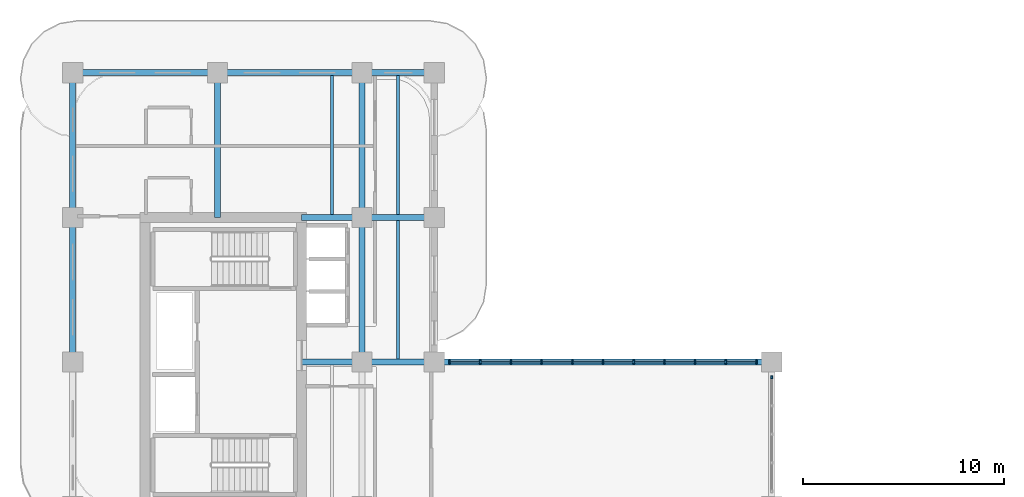
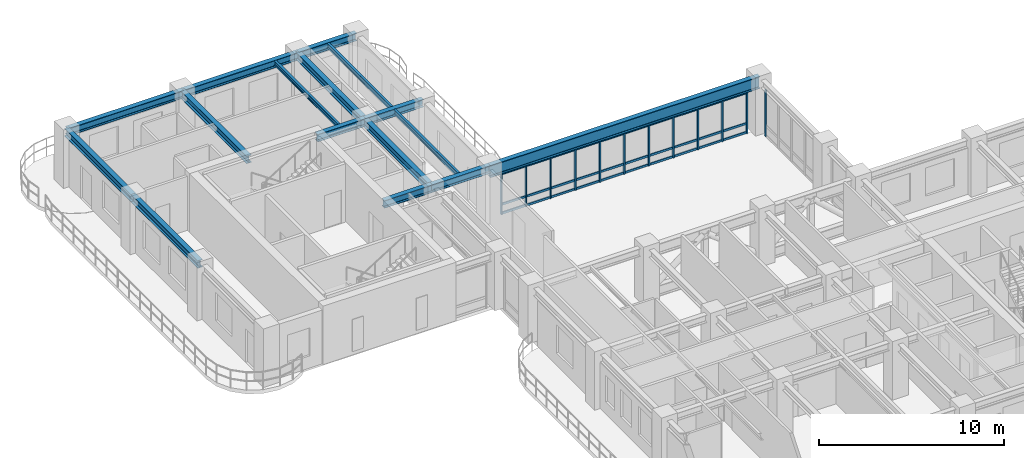
# One storey, part 4 of 17: 42 members, 16 beams, 2 elements without a shape of their own.
"""IFC4 building model written with IfcOpenShell, lengths in metres."""

from ifc_helpers import new_model, si_unit, derived_unit, direction, frame, origin, origin_2d, place, context, subcontext, project, spatial, rectangle, i_section, extrude, source, transform, mapped, material, layer, layer_set, material_profile, profile_set, type_object, type_shapes, element, aggregate, save


model = new_model("IFC4")

# Units and contexts
model_context = context("Model", 3, precision=1e-05, world=origin(), true_north=direction((0.0, 1.0)))
body_context = subcontext(model_context, "Body", "Model", "MODEL_VIEW")
ifc_project = project(units=[si_unit("LENGTHUNIT", "METRE"), si_unit("AREAUNIT", "SQUARE_METRE"), si_unit("VOLUMEUNIT", "CUBIC_METRE"), si_unit("PLANEANGLEUNIT", "RADIAN"), si_unit("MASSUNIT", "GRAM", prefix="KILO"), si_unit("THERMODYNAMICTEMPERATUREUNIT", "KELVIN"), si_unit("POWERUNIT", "WATT"), derived_unit("THERMALTRANSMITTANCEUNIT", [(si_unit("POWERUNIT", "WATT"), 1), (si_unit("AREAUNIT", "SQUARE_METRE"), -1), (si_unit("THERMODYNAMICTEMPERATUREUNIT", "KELVIN"), -1)])], contexts=[model_context])

# Site, building, storey
site_placement = place(None, origin())
site = spatial("IfcSite", under=ifc_project, at=site_placement, CompositionType="ELEMENT")
building_placement = place(site_placement, origin())
building = spatial("IfcBuilding", under=site, at=building_placement, Name="Zahravan Archway Hotel and Residences", CompositionType="ELEMENT")
storey_placement = place(building_placement, frame((0.0, 0.0, 192.64990234375)))
storey = spatial("IfcBuildingStorey", under=building, at=storey_placement, Name="L48", CompositionType="ELEMENT", Elevation=192.64990234375)

# Beams
ifc_material_1 = material(Name="Structural Steel S355J2", Category="steel")
ifc_material_profile_1 = material_profile(ifc_material_1, i_section(OverallWidth=0.300048828125, OverallDepth=0.800048828125, WebThickness=0.017578125, FlangeThickness=0.032958984375, FilletRadius=0.030029296875, at=origin_2d()), Name="HEB 800", Category="steel")
ifc_profile_set_1 = profile_set([ifc_material_profile_1], Name="Structural Steel S355J2")
beam_type_1 = type_object("IfcBeamType", Name="BM-PRI-HEB800", PredefinedType="BEAM", material=ifc_profile_set_1)
shared_shape_1 = source(origin(), body_context, "Body", "SweptSolid", [
    extrude(i_section(OverallWidth=0.300048828125, OverallDepth=0.800048828125, WebThickness=0.017578125, FlangeThickness=0.032958984375, FilletRadius=0.030029296875, at=origin_2d()), origin(), (0.0, 0.0, 1.0), 16.800048828125),
])
type_shapes(beam_type_1, [shared_shape_1])
beam_1_placement = place(storey_placement, frame((18.0, 32.39990234375, 3.150146484375), z_axis=(1.0, 0.0, 0.0), x_axis=(0.0, 1.0, 0.0)))
element("IfcBeam", 1, at=beam_1_placement, inside=storey, type_object=beam_type_1, Name="L48 Primary Girder EW-17", PredefinedType="BEAM", context=body_context, shape_type="MappedRepresentation", body=[
    mapped(shared_shape_1, transform((0.0, 0.0, 0.0), scale=1.0)),
])
ifc_material_2 = material(Name="Structural Steel S355JR", Category="steel")
ifc_material_profile_2 = material_profile(ifc_material_2, i_section(OverallWidth=0.300048828125, OverallDepth=0.5, WebThickness=0.014404296875, FlangeThickness=0.028076171875, FilletRadius=0.027099609375, at=origin_2d()), Name="HEB 500", Category="steel")
ifc_profile_set_2 = profile_set([ifc_material_profile_2], Name="Structural Steel S355JR")
beam_type_2 = type_object("IfcBeamType", Name="BM-PRI-HEB500", PredefinedType="BEAM", material=ifc_profile_set_2)
shared_shape_2 = source(origin(), body_context, "Body", "SweptSolid", [
    extrude(i_section(OverallWidth=0.300048828125, OverallDepth=0.5, WebThickness=0.014404296875, FlangeThickness=0.028076171875, FilletRadius=0.027099609375, at=origin_2d()), origin(), (0.0, 0.0, 1.0), 7.2001953125),
])
type_shapes(beam_type_2, [shared_shape_2])
for number, where, z_axis, x_axis, name in (
    (2, (0.0, 32.39990234375, 3.300048828125), (0.0, 1.0, 0.0), (-1.0, 0.0, 0.0), "L48 Primary Girder NS-24"),
    (3, (14.39990234375, 32.39990234375, 3.300048828125), (0.0, 1.0, 0.0), (-1.0, 0.0, 0.0), "L48 Primary Girder NS-32"),
):
    element("IfcBeam", number, at=place(storey_placement, frame(where, z_axis=z_axis, x_axis=x_axis)), inside=storey, type_object=beam_type_2, Name=name, PredefinedType="BEAM", context=body_context, shape_type="MappedRepresentation", body=[
        mapped(shared_shape_2, transform((0.0, 0.0, 0.0), scale=1.0)),
    ])
shared_shape_3 = source(origin(), body_context, "Body", "SweptSolid", [
    extrude(i_section(OverallWidth=0.300048828125, OverallDepth=0.5, WebThickness=0.014404296875, FlangeThickness=0.028076171875, FilletRadius=0.027099609375, at=origin_2d()), origin(), (0.0, 0.0, 1.0), 7.199951171875),
])
for number, where, z_axis, x_axis, name in (
    (4, (0.0, 46.800048828125, 3.300048828125), (1.0, 0.0, 0.0), (0.0, 1.0, 0.0), "L48 Primary Girder EW-20"),
    (5, (7.199951171875, 46.800048828125, 3.300048828125), (1.0, 0.0, 0.0), (0.0, 1.0, 0.0), "L48 Primary Girder EW-21"),
    (6, (0.0, 39.60009765625, 3.300048828125), (0.0, 1.0, 0.0), (-1.0, 0.0, 0.0), "L48 Primary Girder NS-25"),
    (7, (7.199951171875, 39.60009765625, 3.300048828125), (0.0, 1.0, 0.0), (-1.0, 0.0, 0.0), "L48 Primary Girder NS-26"),
    (8, (14.39990234375, 39.60009765625, 3.300048828125), (0.0, 1.0, 0.0), (-1.0, 0.0, 0.0), "L48 Primary Girder NS-33"),
):
    element("IfcBeam", number, at=place(storey_placement, frame(where, z_axis=z_axis, x_axis=x_axis)), inside=storey, type_object=beam_type_2, Name=name, PredefinedType="BEAM", context=body_context, shape_type="MappedRepresentation", body=[
        mapped(shared_shape_3, transform((0.0, 0.0, 0.0), scale=1.0)),
    ])
shared_shape_4 = source(origin(), body_context, "Body", "SweptSolid", [
    extrude(i_section(OverallWidth=0.300048828125, OverallDepth=0.5, WebThickness=0.014404296875, FlangeThickness=0.028076171875, FilletRadius=0.027099609375, at=origin_2d()), origin(), (0.0, 0.0, 1.0), 3.0),
])
for number, where, z_axis, x_axis, name in (
    (9, (11.39990234375, 32.39990234375, 3.300048828125), (1.0, 0.0, 0.0), (0.0, 1.0, 0.0), "L48 Primary Girder EW-15"),
    (10, (11.39990234375, 39.60009765625, 3.300048828125), (1.0, 0.0, 0.0), (0.0, 1.0, 0.0), "L48 Primary Girder EW-18"),
):
    element("IfcBeam", number, at=place(storey_placement, frame(where, z_axis=z_axis, x_axis=x_axis)), inside=storey, type_object=beam_type_2, Name=name, PredefinedType="BEAM", context=body_context, shape_type="MappedRepresentation", body=[
        mapped(shared_shape_4, transform((0.0, 0.0, 0.0), scale=1.0)),
    ])
ifc_material_profile_3 = material_profile(ifc_material_2, i_section(OverallWidth=0.14990234375, OverallDepth=0.300048828125, WebThickness=0.007080078125, FlangeThickness=0.0107421875, FilletRadius=0.014892578125, at=origin_2d()), Name="IPE 300", Category="steel")
ifc_profile_set_3 = profile_set([ifc_material_profile_3], Name="Structural Steel S355JR")
beam_type_3 = type_object("IfcBeamType", Name="BM-JST-IPE300", PredefinedType="JOIST", material=ifc_profile_set_3)
shared_shape_5 = source(origin(), body_context, "Body", "SweptSolid", [
    extrude(i_section(OverallWidth=0.14990234375, OverallDepth=0.300048828125, WebThickness=0.007080078125, FlangeThickness=0.0107421875, FilletRadius=0.014892578125, at=origin_2d()), origin(), (0.0, 0.0, 1.0), 6.904052734375),
])
type_shapes(beam_type_3, [shared_shape_5])
for number, where, z_axis, x_axis, name in (
    (11, (12.89990234375, 39.748046875, 3.400146484375), (0.0, 1.0, 0.0), (-1.0, 0.0, 0.0), "L48 Composite Floor Joist 10"),
    (12, (16.199951171875, 39.748046875, 3.400146484375), (0.0, 1.0, 0.0), (-1.0, 0.0, 0.0), "L48 Composite Floor Joist 11"),
):
    element("IfcBeam", number, at=place(storey_placement, frame(where, z_axis=z_axis, x_axis=x_axis)), inside=storey, type_object=beam_type_3, Name=name, PredefinedType="JOIST", context=body_context, shape_type="MappedRepresentation", body=[
        mapped(shared_shape_5, transform((0.0, 0.0, 0.0), scale=1.0)),
    ])
shared_shape_6 = source(origin(), body_context, "Body", "SweptSolid", [
    extrude(i_section(OverallWidth=0.14990234375, OverallDepth=0.300048828125, WebThickness=0.007080078125, FlangeThickness=0.0107421875, FilletRadius=0.014892578125, at=origin_2d()), origin(), (0.0, 0.0, 1.0), 6.90380859375),
])
beam_2_placement = place(storey_placement, frame((16.199951171875, 32.548095703125, 3.400146484375), z_axis=(0.0, 1.0, 0.0), x_axis=(-1.0, 0.0, 0.0)))
element("IfcBeam", 13, at=beam_2_placement, inside=storey, type_object=beam_type_3, Name="L48 Composite Floor Joist 09", PredefinedType="JOIST", context=body_context, shape_type="MappedRepresentation", body=[
    mapped(shared_shape_6, transform((0.0, 0.0, 0.0), scale=1.0)),
])
shared_shape_7 = source(origin(), body_context, "Body", "SweptSolid", [
    extrude(i_section(OverallWidth=0.300048828125, OverallDepth=0.5, WebThickness=0.014404296875, FlangeThickness=0.028076171875, FilletRadius=0.027099609375, at=origin_2d()), origin(), (0.0, 0.0, 1.0), 3.60009765625),
])
for number, where, z_axis, x_axis, name in (
    (14, (14.39990234375, 32.39990234375, 3.300048828125), (1.0, 0.0, 0.0), (0.0, 1.0, 0.0), "L48 Primary Girder EW-16"),
    (15, (14.39990234375, 39.60009765625, 3.300048828125), (1.0, 0.0, 0.0), (0.0, 1.0, 0.0), "L48 Primary Girder EW-19"),
    (16, (14.39990234375, 46.800048828125, 3.300048828125), (1.0, 0.0, 0.0), (0.0, 1.0, 0.0), "L48 Primary Girder EW-22"),
):
    element("IfcBeam", number, at=place(storey_placement, frame(where, z_axis=z_axis, x_axis=x_axis)), inside=storey, type_object=beam_type_2, Name=name, PredefinedType="BEAM", context=body_context, shape_type="MappedRepresentation", body=[
        mapped(shared_shape_7, transform((0.0, 0.0, 0.0), scale=1.0)),
    ])

# Curtain wall, members
ifc_material_3 = material(Name="Bronze-Anodized Unitised Aluminium & Low-E Glass", Category="aluminium")
ifc_layer = layer(ifc_material_3, 0.179931640625, Name="Bronze-Anodized Unitised Aluminium & Low-E Glass", Category="aluminium")
ifc_layer_set = layer_set([ifc_layer], Name="Bronze-Anodized Unitised Aluminium & Low-E Glass")
curtain_wall_type = type_object("IfcCurtainWallType", Name="CW-SBG-2", PredefinedType="NOTDEFINED", material=ifc_layer_set)
curtain_wall_1_placement = place(storey_placement, origin())
curtain_wall_1 = element("IfcCurtainWall", 17, at=curtain_wall_1_placement, inside=storey, type_object=curtain_wall_type, Name="L48 Curtain Wall CW-L48-HNG-N-1", PredefinedType="NOTDEFINED")
ifc_material_4 = material(Name="Bronze-Anodized Extruded Aluminium", Category="aluminium")
ifc_material_profile_4 = material_profile(ifc_material_4, rectangle(XDim=0.080078125, YDim=0.139892578125, at=origin_2d()), Name="TRN 80x140", Category="aluminium")
ifc_profile_set_4 = profile_set([ifc_material_profile_4], Name="Bronze-Anodized Extruded Aluminium")
member_type_1 = type_object("IfcMemberType", Name="CWM-TRN-140", PredefinedType="USERDEFINED", material=ifc_profile_set_4)
shared_shape_8 = source(origin(), body_context, "Body", "SweptSolid", [
    extrude(rectangle(XDim=0.080078125, YDim=0.139892578125, at=origin_2d()), origin(), (0.0, 0.0, 1.0), 1.447998046875),
])
member_1_placement = place(storey_placement, frame((18.800048828125, 32.39990234375, 0.070068359375), z_axis=(1.0, 0.0, 0.0), x_axis=(0.0, 1.0, 0.0)))
member_1 = element("IfcMember", 18, at=member_1_placement, type_object=member_type_1, Name="CW-L48-HNG-N-1 Transom 0-1", ObjectType="TRANSOM", PredefinedType="USERDEFINED", context=body_context, shape_type="MappedRepresentation", body=[
    mapped(shared_shape_8, transform((0.0, 0.0, 0.0), scale=1.0)),
])
member_2_placement = place(storey_placement, frame((18.800048828125, 32.39990234375, 0.656494140625), z_axis=(1.0, 0.0, 0.0), x_axis=(0.0, 1.0, 0.0)))
member_2 = element("IfcMember", 19, at=member_2_placement, type_object=member_type_1, Name="CW-L48-HNG-N-1 Transom 0-2", ObjectType="TRANSOM", PredefinedType="USERDEFINED", context=body_context, shape_type="MappedRepresentation", body=[
    mapped(shared_shape_8, transform((0.0, 0.0, 0.0), scale=1.0)),
])
member_3_placement = place(storey_placement, frame((18.800048828125, 32.39990234375, 2.6650390625), z_axis=(1.0, 0.0, 0.0), x_axis=(0.0, 1.0, 0.0)))
member_3 = element("IfcMember", 20, at=member_3_placement, type_object=member_type_1, Name="CW-L48-HNG-N-1 Transom 0-3", ObjectType="TRANSOM", PredefinedType="USERDEFINED", context=body_context, shape_type="MappedRepresentation", body=[
    mapped(shared_shape_8, transform((0.0, 0.0, 0.0), scale=1.0)),
])
member_4_placement = place(storey_placement, frame((20.327880859375, 32.39990234375, 0.070068359375), z_axis=(1.0, 0.0, 0.0), x_axis=(0.0, 1.0, 0.0)))
member_4 = element("IfcMember", 21, at=member_4_placement, type_object=member_type_1, Name="CW-L48-HNG-N-1 Transom 1-1", ObjectType="TRANSOM", PredefinedType="USERDEFINED", context=body_context, shape_type="MappedRepresentation", body=[
    mapped(shared_shape_8, transform((0.0, 0.0, 0.0), scale=1.0)),
])
member_5_placement = place(storey_placement, frame((20.327880859375, 32.39990234375, 0.656494140625), z_axis=(1.0, 0.0, 0.0), x_axis=(0.0, 1.0, 0.0)))
member_5 = element("IfcMember", 22, at=member_5_placement, type_object=member_type_1, Name="CW-L48-HNG-N-1 Transom 1-2", ObjectType="TRANSOM", PredefinedType="USERDEFINED", context=body_context, shape_type="MappedRepresentation", body=[
    mapped(shared_shape_8, transform((0.0, 0.0, 0.0), scale=1.0)),
])
member_6_placement = place(storey_placement, frame((20.327880859375, 32.39990234375, 2.6650390625), z_axis=(1.0, 0.0, 0.0), x_axis=(0.0, 1.0, 0.0)))
member_6 = element("IfcMember", 23, at=member_6_placement, type_object=member_type_1, Name="CW-L48-HNG-N-1 Transom 1-3", ObjectType="TRANSOM", PredefinedType="USERDEFINED", context=body_context, shape_type="MappedRepresentation", body=[
    mapped(shared_shape_8, transform((0.0, 0.0, 0.0), scale=1.0)),
])
member_7_placement = place(storey_placement, frame((21.85595703125, 32.39990234375, 0.070068359375), z_axis=(1.0, 0.0, 0.0), x_axis=(0.0, 1.0, 0.0)))
member_7 = element("IfcMember", 24, at=member_7_placement, type_object=member_type_1, Name="CW-L48-HNG-N-1 Transom 2-1", ObjectType="TRANSOM", PredefinedType="USERDEFINED", context=body_context, shape_type="MappedRepresentation", body=[
    mapped(shared_shape_8, transform((0.0, 0.0, 0.0), scale=1.0)),
])
member_8_placement = place(storey_placement, frame((21.85595703125, 32.39990234375, 0.656494140625), z_axis=(1.0, 0.0, 0.0), x_axis=(0.0, 1.0, 0.0)))
member_8 = element("IfcMember", 25, at=member_8_placement, type_object=member_type_1, Name="CW-L48-HNG-N-1 Transom 2-2", ObjectType="TRANSOM", PredefinedType="USERDEFINED", context=body_context, shape_type="MappedRepresentation", body=[
    mapped(shared_shape_8, transform((0.0, 0.0, 0.0), scale=1.0)),
])
member_9_placement = place(storey_placement, frame((21.85595703125, 32.39990234375, 2.6650390625), z_axis=(1.0, 0.0, 0.0), x_axis=(0.0, 1.0, 0.0)))
member_9 = element("IfcMember", 26, at=member_9_placement, type_object=member_type_1, Name="CW-L48-HNG-N-1 Transom 2-3", ObjectType="TRANSOM", PredefinedType="USERDEFINED", context=body_context, shape_type="MappedRepresentation", body=[
    mapped(shared_shape_8, transform((0.0, 0.0, 0.0), scale=1.0)),
])
member_10_placement = place(storey_placement, frame((23.384033203125, 32.39990234375, 0.070068359375), z_axis=(1.0, 0.0, 0.0), x_axis=(0.0, 1.0, 0.0)))
member_10 = element("IfcMember", 27, at=member_10_placement, type_object=member_type_1, Name="CW-L48-HNG-N-1 Transom 3-1", ObjectType="TRANSOM", PredefinedType="USERDEFINED", context=body_context, shape_type="MappedRepresentation", body=[
    mapped(shared_shape_8, transform((0.0, 0.0, 0.0), scale=1.0)),
])
member_11_placement = place(storey_placement, frame((23.384033203125, 32.39990234375, 0.656494140625), z_axis=(1.0, 0.0, 0.0), x_axis=(0.0, 1.0, 0.0)))
member_11 = element("IfcMember", 28, at=member_11_placement, type_object=member_type_1, Name="CW-L48-HNG-N-1 Transom 3-2", ObjectType="TRANSOM", PredefinedType="USERDEFINED", context=body_context, shape_type="MappedRepresentation", body=[
    mapped(shared_shape_8, transform((0.0, 0.0, 0.0), scale=1.0)),
])
member_12_placement = place(storey_placement, frame((23.384033203125, 32.39990234375, 2.6650390625), z_axis=(1.0, 0.0, 0.0), x_axis=(0.0, 1.0, 0.0)))
member_12 = element("IfcMember", 29, at=member_12_placement, type_object=member_type_1, Name="CW-L48-HNG-N-1 Transom 3-3", ObjectType="TRANSOM", PredefinedType="USERDEFINED", context=body_context, shape_type="MappedRepresentation", body=[
    mapped(shared_shape_8, transform((0.0, 0.0, 0.0), scale=1.0)),
])
member_13_placement = place(storey_placement, frame((24.912109375, 32.39990234375, 0.070068359375), z_axis=(1.0, 0.0, 0.0), x_axis=(0.0, 1.0, 0.0)))
member_13 = element("IfcMember", 30, at=member_13_placement, type_object=member_type_1, Name="CW-L48-HNG-N-1 Transom 4-1", ObjectType="TRANSOM", PredefinedType="USERDEFINED", context=body_context, shape_type="MappedRepresentation", body=[
    mapped(shared_shape_8, transform((0.0, 0.0, 0.0), scale=1.0)),
])
member_14_placement = place(storey_placement, frame((24.912109375, 32.39990234375, 0.656494140625), z_axis=(1.0, 0.0, 0.0), x_axis=(0.0, 1.0, 0.0)))
member_14 = element("IfcMember", 31, at=member_14_placement, type_object=member_type_1, Name="CW-L48-HNG-N-1 Transom 4-2", ObjectType="TRANSOM", PredefinedType="USERDEFINED", context=body_context, shape_type="MappedRepresentation", body=[
    mapped(shared_shape_8, transform((0.0, 0.0, 0.0), scale=1.0)),
])
member_15_placement = place(storey_placement, frame((24.912109375, 32.39990234375, 2.6650390625), z_axis=(1.0, 0.0, 0.0), x_axis=(0.0, 1.0, 0.0)))
member_15 = element("IfcMember", 32, at=member_15_placement, type_object=member_type_1, Name="CW-L48-HNG-N-1 Transom 4-3", ObjectType="TRANSOM", PredefinedType="USERDEFINED", context=body_context, shape_type="MappedRepresentation", body=[
    mapped(shared_shape_8, transform((0.0, 0.0, 0.0), scale=1.0)),
])
member_16_placement = place(storey_placement, frame((26.43994140625, 32.39990234375, 0.070068359375), z_axis=(1.0, 0.0, 0.0), x_axis=(0.0, 1.0, 0.0)))
member_16 = element("IfcMember", 33, at=member_16_placement, type_object=member_type_1, Name="CW-L48-HNG-N-1 Transom 5-1", ObjectType="TRANSOM", PredefinedType="USERDEFINED", context=body_context, shape_type="MappedRepresentation", body=[
    mapped(shared_shape_8, transform((0.0, 0.0, 0.0), scale=1.0)),
])
member_17_placement = place(storey_placement, frame((26.43994140625, 32.39990234375, 0.656494140625), z_axis=(1.0, 0.0, 0.0), x_axis=(0.0, 1.0, 0.0)))
member_17 = element("IfcMember", 34, at=member_17_placement, type_object=member_type_1, Name="CW-L48-HNG-N-1 Transom 5-2", ObjectType="TRANSOM", PredefinedType="USERDEFINED", context=body_context, shape_type="MappedRepresentation", body=[
    mapped(shared_shape_8, transform((0.0, 0.0, 0.0), scale=1.0)),
])
member_18_placement = place(storey_placement, frame((26.43994140625, 32.39990234375, 2.6650390625), z_axis=(1.0, 0.0, 0.0), x_axis=(0.0, 1.0, 0.0)))
member_18 = element("IfcMember", 35, at=member_18_placement, type_object=member_type_1, Name="CW-L48-HNG-N-1 Transom 5-3", ObjectType="TRANSOM", PredefinedType="USERDEFINED", context=body_context, shape_type="MappedRepresentation", body=[
    mapped(shared_shape_8, transform((0.0, 0.0, 0.0), scale=1.0)),
])
member_19_placement = place(storey_placement, frame((27.968017578125, 32.39990234375, 0.070068359375), z_axis=(1.0, 0.0, 0.0), x_axis=(0.0, 1.0, 0.0)))
member_19 = element("IfcMember", 36, at=member_19_placement, type_object=member_type_1, Name="CW-L48-HNG-N-1 Transom 6-1", ObjectType="TRANSOM", PredefinedType="USERDEFINED", context=body_context, shape_type="MappedRepresentation", body=[
    mapped(shared_shape_8, transform((0.0, 0.0, 0.0), scale=1.0)),
])
member_20_placement = place(storey_placement, frame((27.968017578125, 32.39990234375, 0.656494140625), z_axis=(1.0, 0.0, 0.0), x_axis=(0.0, 1.0, 0.0)))
member_20 = element("IfcMember", 37, at=member_20_placement, type_object=member_type_1, Name="CW-L48-HNG-N-1 Transom 6-2", ObjectType="TRANSOM", PredefinedType="USERDEFINED", context=body_context, shape_type="MappedRepresentation", body=[
    mapped(shared_shape_8, transform((0.0, 0.0, 0.0), scale=1.0)),
])
member_21_placement = place(storey_placement, frame((27.968017578125, 32.39990234375, 2.6650390625), z_axis=(1.0, 0.0, 0.0), x_axis=(0.0, 1.0, 0.0)))
member_21 = element("IfcMember", 38, at=member_21_placement, type_object=member_type_1, Name="CW-L48-HNG-N-1 Transom 6-3", ObjectType="TRANSOM", PredefinedType="USERDEFINED", context=body_context, shape_type="MappedRepresentation", body=[
    mapped(shared_shape_8, transform((0.0, 0.0, 0.0), scale=1.0)),
])
member_22_placement = place(storey_placement, frame((29.49609375, 32.39990234375, 0.070068359375), z_axis=(1.0, 0.0, 0.0), x_axis=(0.0, 1.0, 0.0)))
member_22 = element("IfcMember", 39, at=member_22_placement, type_object=member_type_1, Name="CW-L48-HNG-N-1 Transom 7-1", ObjectType="TRANSOM", PredefinedType="USERDEFINED", context=body_context, shape_type="MappedRepresentation", body=[
    mapped(shared_shape_8, transform((0.0, 0.0, 0.0), scale=1.0)),
])
member_23_placement = place(storey_placement, frame((29.49609375, 32.39990234375, 0.656494140625), z_axis=(1.0, 0.0, 0.0), x_axis=(0.0, 1.0, 0.0)))
member_23 = element("IfcMember", 40, at=member_23_placement, type_object=member_type_1, Name="CW-L48-HNG-N-1 Transom 7-2", ObjectType="TRANSOM", PredefinedType="USERDEFINED", context=body_context, shape_type="MappedRepresentation", body=[
    mapped(shared_shape_8, transform((0.0, 0.0, 0.0), scale=1.0)),
])
member_24_placement = place(storey_placement, frame((29.49609375, 32.39990234375, 2.6650390625), z_axis=(1.0, 0.0, 0.0), x_axis=(0.0, 1.0, 0.0)))
member_24 = element("IfcMember", 41, at=member_24_placement, type_object=member_type_1, Name="CW-L48-HNG-N-1 Transom 7-3", ObjectType="TRANSOM", PredefinedType="USERDEFINED", context=body_context, shape_type="MappedRepresentation", body=[
    mapped(shared_shape_8, transform((0.0, 0.0, 0.0), scale=1.0)),
])
member_25_placement = place(storey_placement, frame((31.02392578125, 32.39990234375, 0.070068359375), z_axis=(1.0, 0.0, 0.0), x_axis=(0.0, 1.0, 0.0)))
member_25 = element("IfcMember", 42, at=member_25_placement, type_object=member_type_1, Name="CW-L48-HNG-N-1 Transom 8-1", ObjectType="TRANSOM", PredefinedType="USERDEFINED", context=body_context, shape_type="MappedRepresentation", body=[
    mapped(shared_shape_8, transform((0.0, 0.0, 0.0), scale=1.0)),
])
member_26_placement = place(storey_placement, frame((31.02392578125, 32.39990234375, 0.656494140625), z_axis=(1.0, 0.0, 0.0), x_axis=(0.0, 1.0, 0.0)))
member_26 = element("IfcMember", 43, at=member_26_placement, type_object=member_type_1, Name="CW-L48-HNG-N-1 Transom 8-2", ObjectType="TRANSOM", PredefinedType="USERDEFINED", context=body_context, shape_type="MappedRepresentation", body=[
    mapped(shared_shape_8, transform((0.0, 0.0, 0.0), scale=1.0)),
])
member_27_placement = place(storey_placement, frame((31.02392578125, 32.39990234375, 2.6650390625), z_axis=(1.0, 0.0, 0.0), x_axis=(0.0, 1.0, 0.0)))
member_27 = element("IfcMember", 44, at=member_27_placement, type_object=member_type_1, Name="CW-L48-HNG-N-1 Transom 8-3", ObjectType="TRANSOM", PredefinedType="USERDEFINED", context=body_context, shape_type="MappedRepresentation", body=[
    mapped(shared_shape_8, transform((0.0, 0.0, 0.0), scale=1.0)),
])
member_28_placement = place(storey_placement, frame((32.552001953125, 32.39990234375, 0.070068359375), z_axis=(1.0, 0.0, 0.0), x_axis=(0.0, 1.0, 0.0)))
member_28 = element("IfcMember", 45, at=member_28_placement, type_object=member_type_1, Name="CW-L48-HNG-N-1 Transom 9-1", ObjectType="TRANSOM", PredefinedType="USERDEFINED", context=body_context, shape_type="MappedRepresentation", body=[
    mapped(shared_shape_8, transform((0.0, 0.0, 0.0), scale=1.0)),
])
member_29_placement = place(storey_placement, frame((32.552001953125, 32.39990234375, 0.656494140625), z_axis=(1.0, 0.0, 0.0), x_axis=(0.0, 1.0, 0.0)))
member_29 = element("IfcMember", 46, at=member_29_placement, type_object=member_type_1, Name="CW-L48-HNG-N-1 Transom 9-2", ObjectType="TRANSOM", PredefinedType="USERDEFINED", context=body_context, shape_type="MappedRepresentation", body=[
    mapped(shared_shape_8, transform((0.0, 0.0, 0.0), scale=1.0)),
])
member_30_placement = place(storey_placement, frame((32.552001953125, 32.39990234375, 2.6650390625), z_axis=(1.0, 0.0, 0.0), x_axis=(0.0, 1.0, 0.0)))
member_30 = element("IfcMember", 47, at=member_30_placement, type_object=member_type_1, Name="CW-L48-HNG-N-1 Transom 9-3", ObjectType="TRANSOM", PredefinedType="USERDEFINED", context=body_context, shape_type="MappedRepresentation", body=[
    mapped(shared_shape_8, transform((0.0, 0.0, 0.0), scale=1.0)),
])

# Curtain wall, member
curtain_wall_2_placement = place(storey_placement, origin())
curtain_wall_2 = element("IfcCurtainWall", 48, at=curtain_wall_2_placement, inside=storey, type_object=curtain_wall_type, Name="L48 Curtain Wall CW-L48-HNG-E-2", PredefinedType="NOTDEFINED")
ifc_material_profile_5 = material_profile(ifc_material_4, rectangle(XDim=0.080078125, YDim=0.159912109375, at=origin_2d()), Name="MUL 80x160", Category="aluminium")
ifc_profile_set_5 = profile_set([ifc_material_profile_5], Name="Bronze-Anodized Extruded Aluminium")
member_type_2 = type_object("IfcMemberType", Name="CWM-MUL-160", PredefinedType="MULLION", material=ifc_profile_set_5)
shared_shape_9 = source(origin(), body_context, "Body", "SweptSolid", [
    extrude(rectangle(XDim=0.080078125, YDim=0.159912109375, at=origin_2d()), origin(), (0.0, 0.0, 1.0), 3.03515625),
])
member_31_placement = place(storey_placement, frame((34.800048828125, 31.639892578125, 0.0), z_axis=(0.0, 0.0, 1.0), x_axis=(1.0, 0.0, 0.0)))
member_31 = element("IfcMember", 49, at=member_31_placement, type_object=member_type_2, Name="CW-L48-HNG-E-2 Mullion 4", PredefinedType="MULLION", context=body_context, shape_type="MappedRepresentation", body=[
    mapped(shared_shape_9, transform((0.0, 0.0, 0.0), scale=1.0)),
])
aggregate(curtain_wall_2, [member_31])

# Member
shared_shape_10 = source(origin(), body_context, "Body", "SweptSolid", [
    extrude(rectangle(XDim=0.080078125, YDim=0.159912109375, at=origin_2d()), origin(), (0.0, 0.0, 1.0), 2.735107421875),
])
member_32_placement = place(storey_placement, frame((18.760009765625, 32.39990234375, 0.0), z_axis=(0.0, 0.0, 1.0), x_axis=(1.0, 0.0, 0.0)))
member_32 = element("IfcMember", 50, at=member_32_placement, type_object=member_type_2, Name="CW-L48-HNG-N-1 Mullion 0", PredefinedType="MULLION", context=body_context, shape_type="MappedRepresentation", body=[
    mapped(shared_shape_10, transform((0.0, 0.0, 0.0), scale=1.0)),
])

member_33_placement = place(storey_placement, frame((20.2880859375, 32.39990234375, 0.0), z_axis=(0.0, 0.0, 1.0), x_axis=(1.0, 0.0, 0.0)))
member_33 = element("IfcMember", 51, at=member_33_placement, type_object=member_type_2, Name="CW-L48-HNG-N-1 Mullion 1", PredefinedType="MULLION", context=body_context, shape_type="MappedRepresentation", body=[
    mapped(shared_shape_10, transform((0.0, 0.0, 0.0), scale=1.0)),
])

member_34_placement = place(storey_placement, frame((21.81591796875, 32.39990234375, 0.0), z_axis=(0.0, 0.0, 1.0), x_axis=(1.0, 0.0, 0.0)))
member_34 = element("IfcMember", 52, at=member_34_placement, type_object=member_type_2, Name="CW-L48-HNG-N-1 Mullion 2", PredefinedType="MULLION", context=body_context, shape_type="MappedRepresentation", body=[
    mapped(shared_shape_10, transform((0.0, 0.0, 0.0), scale=1.0)),
])

member_35_placement = place(storey_placement, frame((23.343994140625, 32.39990234375, 0.0), z_axis=(0.0, 0.0, 1.0), x_axis=(1.0, 0.0, 0.0)))
member_35 = element("IfcMember", 53, at=member_35_placement, type_object=member_type_2, Name="CW-L48-HNG-N-1 Mullion 3", PredefinedType="MULLION", context=body_context, shape_type="MappedRepresentation", body=[
    mapped(shared_shape_10, transform((0.0, 0.0, 0.0), scale=1.0)),
])

member_36_placement = place(storey_placement, frame((24.8720703125, 32.39990234375, 0.0), z_axis=(0.0, 0.0, 1.0), x_axis=(1.0, 0.0, 0.0)))
member_36 = element("IfcMember", 54, at=member_36_placement, type_object=member_type_2, Name="CW-L48-HNG-N-1 Mullion 4", PredefinedType="MULLION", context=body_context, shape_type="MappedRepresentation", body=[
    mapped(shared_shape_10, transform((0.0, 0.0, 0.0), scale=1.0)),
])

member_37_placement = place(storey_placement, frame((26.39990234375, 32.39990234375, 0.0), z_axis=(0.0, 0.0, 1.0), x_axis=(1.0, 0.0, 0.0)))
member_37 = element("IfcMember", 55, at=member_37_placement, type_object=member_type_2, Name="CW-L48-HNG-N-1 Mullion 5", PredefinedType="MULLION", context=body_context, shape_type="MappedRepresentation", body=[
    mapped(shared_shape_10, transform((0.0, 0.0, 0.0), scale=1.0)),
])

member_38_placement = place(storey_placement, frame((27.927978515625, 32.39990234375, 0.0), z_axis=(0.0, 0.0, 1.0), x_axis=(1.0, 0.0, 0.0)))
member_38 = element("IfcMember", 56, at=member_38_placement, type_object=member_type_2, Name="CW-L48-HNG-N-1 Mullion 6", PredefinedType="MULLION", context=body_context, shape_type="MappedRepresentation", body=[
    mapped(shared_shape_10, transform((0.0, 0.0, 0.0), scale=1.0)),
])

member_39_placement = place(storey_placement, frame((29.4560546875, 32.39990234375, 0.0), z_axis=(0.0, 0.0, 1.0), x_axis=(1.0, 0.0, 0.0)))
member_39 = element("IfcMember", 57, at=member_39_placement, type_object=member_type_2, Name="CW-L48-HNG-N-1 Mullion 7", PredefinedType="MULLION", context=body_context, shape_type="MappedRepresentation", body=[
    mapped(shared_shape_10, transform((0.0, 0.0, 0.0), scale=1.0)),
])

member_40_placement = place(storey_placement, frame((30.98388671875, 32.39990234375, 0.0), z_axis=(0.0, 0.0, 1.0), x_axis=(1.0, 0.0, 0.0)))
member_40 = element("IfcMember", 58, at=member_40_placement, type_object=member_type_2, Name="CW-L48-HNG-N-1 Mullion 8", PredefinedType="MULLION", context=body_context, shape_type="MappedRepresentation", body=[
    mapped(shared_shape_10, transform((0.0, 0.0, 0.0), scale=1.0)),
])

member_41_placement = place(storey_placement, frame((32.511962890625, 32.39990234375, 0.0), z_axis=(0.0, 0.0, 1.0), x_axis=(1.0, 0.0, 0.0)))
member_41 = element("IfcMember", 59, at=member_41_placement, type_object=member_type_2, Name="CW-L48-HNG-N-1 Mullion 9", PredefinedType="MULLION", context=body_context, shape_type="MappedRepresentation", body=[
    mapped(shared_shape_10, transform((0.0, 0.0, 0.0), scale=1.0)),
])

member_42_placement = place(storey_placement, frame((34.0400390625, 32.39990234375, 0.0), z_axis=(0.0, 0.0, 1.0), x_axis=(1.0, 0.0, 0.0)))
member_42 = element("IfcMember", 60, at=member_42_placement, type_object=member_type_2, Name="CW-L48-HNG-N-1 Mullion 10", PredefinedType="MULLION", context=body_context, shape_type="MappedRepresentation", body=[
    mapped(shared_shape_10, transform((0.0, 0.0, 0.0), scale=1.0)),
])

aggregate(curtain_wall_1, [member_32, member_33, member_34, member_35, member_36, member_37, member_38, member_39, member_40, member_41, member_42, member_1, member_2, member_3, member_4, member_5, member_6, member_7, member_8, member_9, member_10, member_11, member_12, member_13, member_14, member_15, member_16, member_17, member_18, member_19, member_20, member_21, member_22, member_23, member_24, member_25, member_26, member_27, member_28, member_29, member_30])

save(model, "model.ifc")
